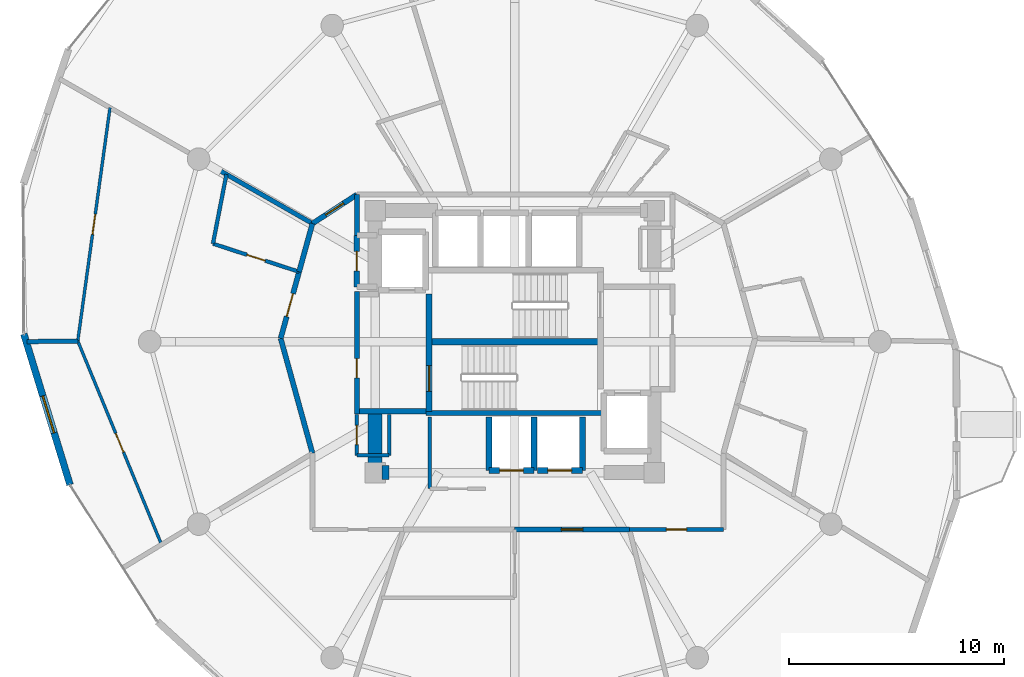
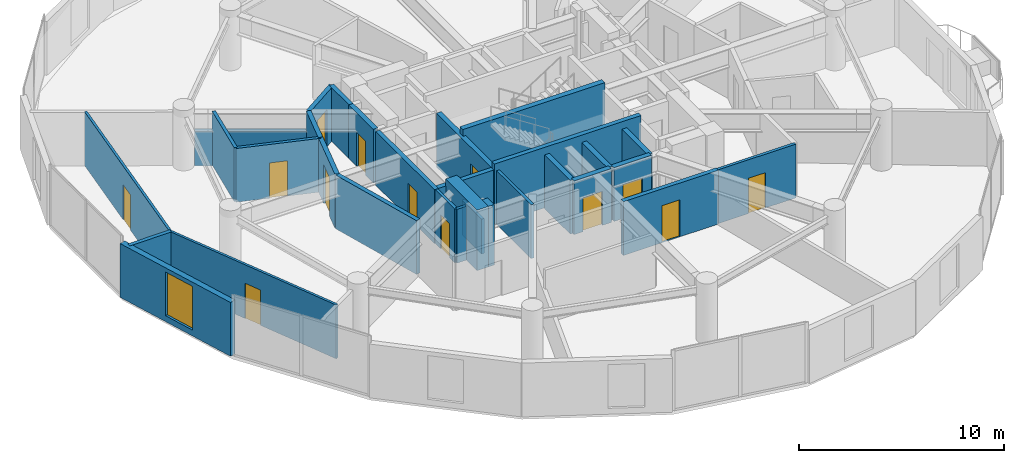
# One storey, part 17 of 22: 31 walls, 13 doors, 1 window, 14 openings.
"""IFC4 building model written with IfcOpenShell, lengths in metres."""

from ifc_helpers import new_model, si_unit, direction, frame, frame_2d, origin, place, context, subcontext, project, spatial, rectangle, extrude, material, layer, layer_set, type_object, element, fill, save


model = new_model("IFC4")

# Units and contexts
model_context = context("Model", 3, precision=1e-05, world=origin(), true_north=direction((0.0, 1.0)))
body_context = subcontext(model_context, "Body", "Model", "MODEL_VIEW")
ifc_project = project(units=[si_unit("LENGTHUNIT", "METRE"), si_unit("AREAUNIT", "SQUARE_METRE"), si_unit("VOLUMEUNIT", "CUBIC_METRE"), si_unit("PLANEANGLEUNIT", "RADIAN"), si_unit("MASSUNIT", "GRAM", prefix="KILO")], contexts=[model_context])

# Site, building, storey
site_placement = place(None, origin())
site = spatial("IfcSite", under=ifc_project, at=site_placement, CompositionType="ELEMENT")
building_placement = place(site_placement, origin())
building = spatial("IfcBuilding", under=site, at=building_placement, Name="Solvirekh Grand Hotel", CompositionType="ELEMENT")
storey_placement = place(building_placement, frame((0.0, 0.0, 160.199951171875)))
storey = spatial("IfcBuildingStorey", under=building, at=storey_placement, Name="L41", CompositionType="ELEMENT", Elevation=160.199951171875)

# Wall
ifc_material_1 = material(Name="Concrete C50/60", Category="concrete")
ifc_layer_1 = layer(ifc_material_1, 0.35009765625)
ifc_layer_set_1 = layer_set([ifc_layer_1], Name="Concrete C50/60")
wall_type_1 = type_object("IfcWallType", Name="CoreDivWall_RC350", PredefinedType="SOLIDWALL", material=ifc_layer_set_1)
wall_1_placement = place(storey_placement, frame((-4.1298828125, -3.324951171875, 0.0), z_axis=(0.0, 0.0, 1.0), x_axis=(1.0, 0.0, 0.0)))
element("IfcWall", 1, at=wall_1_placement, inside=storey, type_object=wall_type_1, Name="L41 core stair box wall ST-S", PredefinedType="SOLIDWALL", context=body_context, shape_type="SweptSolid", body=[
    extrude(rectangle(XDim=8.259765625, YDim=0.25, at=frame_2d((4.1298828125, 0.0))), origin(), (0.0, 0.0, 1.0), 3.60009765625),
])

# Wall, opening, door
ifc_material_2 = material(Name="Concrete C40/50", Category="concrete")
ifc_layer_2 = layer(ifc_material_2, 0.280029296875)
ifc_layer_set_2 = layer_set([ifc_layer_2], Name="Concrete C40/50")
wall_type_2 = type_object("IfcWallType", Name="CoreShaftWall_RC280", PredefinedType="SOLIDWALL", material=ifc_layer_set_2)
wall_2_placement = place(storey_placement, frame((-1.199951171875, -6.0, 0.0), z_axis=(0.0, 0.0, 1.0), x_axis=(1.0, 0.0, 0.0)))
wall_2 = element("IfcWall", 2, at=wall_2_placement, inside=storey, type_object=wall_type_2, Name="L41 MP-1 hoistway S wall", PredefinedType="SOLIDWALL", context=body_context, shape_type="SweptSolid", body=[
    extrude(rectangle(XDim=2.099853515625, YDim=0.280029296875, at=frame_2d((1.0498046875, 0.0))), origin(), (0.0, 0.0, 1.0), 3.199951171875),
])
opening_1_placement = place(wall_2_placement, frame((0.5, 0.0, 0.0)))
opening_1 = element("IfcOpeningElement", 3, at=opening_1_placement, cuts=wall_2, Name="Opening LD03", PredefinedType="OPENING", context=body_context, shape_type="SweptSolid", body=[
    extrude(rectangle(XDim=1.10009765625, YDim=2.02001953125, at=frame_2d((0.550048828125, 1.010009765625))), frame((0.0, 0.14990234375, 0.0), z_axis=(0.0, -1.0, 0.0), x_axis=(1.0, 0.0, 0.0)), (0.0, 0.0, 1.0), 0.300048828125),
])
ifc_material_3 = material(Name="Fire-Rated Steel Door Assembly", Category="steel")
door_type_1 = type_object("IfcDoorType", Name="Door_LiftLow_1100X2020", OperationType="SLIDING_TO_LEFT", PredefinedType="DOOR", material=ifc_material_3)
door_1_placement = place(opening_1_placement, origin())
door_1 = element("IfcDoor", 4, at=door_1_placement, inside=storey, type_object=door_type_1, Name="L41 MP-1 sliding lift landing door", OperationType="SLIDING_TO_LEFT", OverallHeight=2.02001953125, OverallWidth=1.10009765625, PredefinedType="DOOR", context=body_context, shape_type="SweptSolid", body=[
    extrude(rectangle(XDim=1.10009765625, YDim=2.02001953125, at=frame_2d((0.550048828125, 1.010009765625))), frame((0.0, 0.02490234375, 0.0), z_axis=(0.0, -1.0, 0.0), x_axis=(1.0, 0.0, 0.0)), (0.0, 0.0, 1.0), 0.050048828125),
])
fill(opening_1, door_1)

# Walls
for number, where, z_axis, x_axis, name in (
    (5, (-1.199951171875, -3.5, 0.0), (0.0, 0.0, 1.0), (0.0, -1.0, 0.0), "L41 MP-1 hoistway W wall"),
    (6, (0.89990234375, -6.0, 0.0), (0.0, 0.0, 1.0), (0.0, 1.0, 0.0), "L41 MP-1 hoistway E wall"),
):
    element("IfcWall", number, at=place(storey_placement, frame(where, z_axis=z_axis, x_axis=x_axis)), inside=storey, type_object=wall_type_2, Name=name, PredefinedType="SOLIDWALL", context=body_context, shape_type="SweptSolid", body=[
        extrude(rectangle(XDim=2.5, YDim=0.280029296875, at=frame_2d((1.25, 0.0))), origin(), (0.0, 0.0, 1.0), 3.199951171875),
    ])

# Wall, opening, door
wall_3_placement = place(storey_placement, frame((1.050048828125, -6.0, 0.0), z_axis=(0.0, 0.0, 1.0), x_axis=(1.0, 0.0, 0.0)))
wall_3 = element("IfcWall", 7, at=wall_3_placement, inside=storey, type_object=wall_type_2, Name="L41 MP-2 hoistway S wall", PredefinedType="SOLIDWALL", context=body_context, shape_type="SweptSolid", body=[
    extrude(rectangle(XDim=2.099853515625, YDim=0.280029296875, at=frame_2d((1.0498046875, 0.0))), origin(), (0.0, 0.0, 1.0), 3.199951171875),
])
opening_2_placement = place(wall_3_placement, frame((0.5, 0.0, 0.0)))
opening_2 = element("IfcOpeningElement", 8, at=opening_2_placement, cuts=wall_3, Name="Opening LD03", PredefinedType="OPENING", context=body_context, shape_type="SweptSolid", body=[
    extrude(rectangle(XDim=1.10009765625, YDim=2.02001953125, at=frame_2d((0.550048828125, 1.010009765625))), frame((0.0, 0.14990234375, 0.0), z_axis=(0.0, -1.0, 0.0), x_axis=(1.0, 0.0, 0.0)), (0.0, 0.0, 1.0), 0.300048828125),
])
door_2_placement = place(opening_2_placement, origin())
door_2 = element("IfcDoor", 9, at=door_2_placement, inside=storey, type_object=door_type_1, Name="L41 MP-2 sliding lift landing door", OperationType="SLIDING_TO_LEFT", OverallHeight=2.02001953125, OverallWidth=1.10009765625, PredefinedType="DOOR", context=body_context, shape_type="SweptSolid", body=[
    extrude(rectangle(XDim=1.10009765625, YDim=2.02001953125, at=frame_2d((0.550048828125, 1.010009765625))), frame((0.0, 0.02490234375, 0.0), z_axis=(0.0, -1.0, 0.0), x_axis=(1.0, 0.0, 0.0)), (0.0, 0.0, 1.0), 0.050048828125),
])
fill(opening_2, door_2)

# Wall
wall_4_placement = place(storey_placement, frame((3.14990234375, -6.0, 0.0), z_axis=(0.0, 0.0, 1.0), x_axis=(0.0, 1.0, 0.0)))
element("IfcWall", 10, at=wall_4_placement, inside=storey, type_object=wall_type_2, Name="L41 MP-2 hoistway E wall", PredefinedType="SOLIDWALL", context=body_context, shape_type="SweptSolid", body=[
    extrude(rectangle(XDim=2.5, YDim=0.280029296875, at=frame_2d((1.25, 0.0))), origin(), (0.0, 0.0, 1.0), 3.199951171875),
])

# Wall, opening, door
wall_5_placement = place(storey_placement, frame((-3.989990234375, -3.25, 0.0), z_axis=(0.0, 0.0, 1.0), x_axis=(0.0, 1.0, 0.0)))
wall_5 = element("IfcWall", 11, at=wall_5_placement, inside=storey, type_object=wall_type_2, Name="L41 west stair landing enclosure wall", PredefinedType="SOLIDWALL", context=body_context, shape_type="SweptSolid", body=[
    extrude(rectangle(XDim=5.4599609375, YDim=0.280029296875, at=frame_2d((2.72998046875, 0.0))), origin(), (0.0, 0.0, 1.0), 3.199951171875),
])
opening_3_placement = place(wall_5_placement, frame((0.93701171875, 0.0, 0.0)))
opening_3 = element("IfcOpeningElement", 12, at=opening_3_placement, cuts=wall_5, Name="Opening D05", PredefinedType="OPENING", context=body_context, shape_type="SweptSolid", body=[
    extrude(rectangle(XDim=1.199951171875, YDim=2.199951171875, at=frame_2d((0.60009765625, 1.10009765625))), frame((0.0, 0.14990234375, 0.0), z_axis=(0.0, -1.0, 0.0), x_axis=(1.0, 0.0, 0.0)), (0.0, 0.0, 1.0), 0.300048828125),
])
door_type_2 = type_object("IfcDoorType", Name="Door_StairCore_1200X2200", OperationType="NOTDEFINED", PredefinedType="DOOR", material=ifc_material_3)
door_3_placement = place(opening_3_placement, origin())
door_3 = element("IfcDoor", 13, at=door_3_placement, inside=storey, type_object=door_type_2, Name="L41 exit stair ST-1 fire door", OperationType="SINGLE_SWING_LEFT", OverallHeight=2.199951171875, OverallWidth=1.199951171875, PredefinedType="DOOR", context=body_context, shape_type="SweptSolid", body=[
    extrude(rectangle(XDim=1.199951171875, YDim=2.199951171875, at=frame_2d((0.60009765625, 1.10009765625))), frame((0.0, 0.02490234375, 0.0), z_axis=(0.0, -1.0, 0.0), x_axis=(1.0, 0.0, 0.0)), (0.0, 0.0, 1.0), 0.050048828125),
])
fill(opening_3, door_3)

# Walls
ifc_layer_3 = layer(ifc_material_1, 0.64990234375)
ifc_layer_set_3 = layer_set([ifc_layer_3], Name="Concrete C50/60")
wall_type_3 = type_object("IfcWallType", Name="CoreWall_RC650", PredefinedType="SHEAR", material=ifc_layer_set_3)
wall_6_placement = place(storey_placement, frame((-3.989990234375, 0.0, 0.0), z_axis=(0.0, 0.0, 1.0), x_axis=(1.0, 0.0, 0.0)))
element("IfcWall", 14, at=wall_6_placement, inside=storey, type_object=wall_type_3, Name="L41 central stair-spine shear wall", PredefinedType="SHEAR", context=body_context, shape_type="SweptSolid", body=[
    extrude(rectangle(XDim=7.97998046875, YDim=0.300048828125, at=frame_2d((3.989990234375, 0.0))), origin(), (0.0, 0.0, 1.0), 3.60009765625),
])
wall_7_placement = place(storey_placement, frame((-6.175048828125, -6.10009765625, 0.0), z_axis=(0.0, 0.0, 1.0), x_axis=(1.0, 0.0, 0.0)))
element("IfcWall", 15, at=wall_7_placement, inside=storey, type_object=wall_type_3, Name="L41 core corner shear wall SW-S", PredefinedType="SHEAR", context=body_context, shape_type="SweptSolid", body=[
    extrude(rectangle(XDim=0.324951171875, YDim=0.64990234375, at=frame_2d((0.16259765625, 0.0))), origin(), (0.0, 0.0, 1.0), 3.60009765625),
])
wall_8_placement = place(storey_placement, frame((-6.5, -6.425048828125, 0.0), z_axis=(0.0, 0.0, 1.0), x_axis=(0.0, 1.0, 0.0)))
element("IfcWall", 16, at=wall_8_placement, inside=storey, type_object=wall_type_3, Name="L41 core corner shear wall WS-W", PredefinedType="SHEAR", context=body_context, shape_type="SweptSolid", body=[
    extrude(rectangle(XDim=3.074951171875, YDim=0.64990234375, at=frame_2d((1.53759765625, 0.0))), origin(), (0.0, 0.0, 1.0), 3.60009765625),
])

# Wall, opening, window
ifc_material_4 = material(Name="Precast concrete C45/55", Category="concrete")
ifc_layer_4 = layer(ifc_material_4, 0.320068359375)
ifc_layer_set_4 = layer_set([ifc_layer_4], Name="Precast concrete C45/55")
wall_type_4 = type_object("IfcWallType", Name="ExtLobbyWall_RC320", PredefinedType="SOLIDWALL", material=ifc_layer_set_4)
wall_9_placement = place(storey_placement, frame((-20.7109375, -6.666015625, 0.0), z_axis=(0.0, 0.0, 1.0), x_axis=(-0.292831477481, 0.956164068451, 0.0)))
wall_9 = element("IfcWall", 17, at=wall_9_placement, inside=storey, type_object=wall_type_4, Name="L41 exterior structural wall chord 14", PredefinedType="SOLIDWALL", context=body_context, shape_type="SweptSolid", body=[
    extrude(rectangle(XDim=7.345947265625, YDim=0.320068359375, at=frame_2d((3.6728515625, 0.0))), origin(), (0.0, 0.0, 1.0), 3.199951171875),
])
opening_4_placement = place(wall_9_placement, frame((2.530029296875, 0.0, 0.35009765625)))
opening_4 = element("IfcOpeningElement", 18, at=opening_4_placement, cuts=wall_9, Name="Opening W02", PredefinedType="OPENING", context=body_context, shape_type="SweptSolid", body=[
    extrude(rectangle(XDim=1.800048828125, YDim=2.60009765625, at=frame_2d((0.89990234375, 1.300048828125))), frame((0.0, 0.169921875, 0.0), z_axis=(0.0, -1.0, 0.0), x_axis=(1.0, 0.0, 0.0)), (0.0, 0.0, 1.0), 0.340087890625),
])
ifc_material_5 = material(Name="Low-E Tinted Bronze Laminated Glass", Category="aluminium")
window_type = type_object("IfcWindowType", Name="Win_LobbyExt_1800X2600", PartitioningType="SINGLE_PANEL", PredefinedType="WINDOW", material=ifc_material_5)
window_placement = place(opening_4_placement, origin())
window = element("IfcWindow", 19, at=window_placement, inside=storey, type_object=window_type, Name="L41 panoramic bronze-framed window 14", OverallHeight=2.60009765625, OverallWidth=1.800048828125, PartitioningType="SINGLE_PANEL", PredefinedType="WINDOW", context=body_context, shape_type="SweptSolid", body=[
    extrude(rectangle(XDim=1.800048828125, YDim=2.60009765625, at=frame_2d((0.89990234375, 1.300048828125))), frame((0.0, 0.030029296875, 0.0), z_axis=(0.0, -1.0, 0.0), x_axis=(1.0, 0.0, 0.0)), (0.0, 0.0, 1.0), 0.06005859375),
])
fill(opening_4, window)

# Walls
ifc_material_6 = material(Name="Acoustic Gypsum Partition Assembly")
ifc_layer_5 = layer(ifc_material_6, 0.1650390625)
ifc_layer_set_5 = layer_set([ifc_layer_5], Name="Acoustic Gypsum Partition Assembly")
wall_type_5 = type_object("IfcWallType", Name="Part_BOH_165", PredefinedType="PARTITIONING", material=ifc_layer_set_5)
wall_10_placement = place(storey_placement, frame((-7.35009765625, -5.300048828125, 0.0), z_axis=(0.0, 0.0, 1.0), x_axis=(1.0, 0.0, 0.0)))
element("IfcWall", 20, at=wall_10_placement, inside=storey, type_object=wall_type_5, Name="L41 L41 Butler Service Closet wall 1", PredefinedType="PARTITIONING", context=body_context, shape_type="SweptSolid", body=[
    extrude(rectangle(XDim=1.5, YDim=0.1650390625, at=frame_2d((0.75, 0.0))), origin(), (0.0, 0.0, 1.0), 3.199951171875),
])
wall_11_placement = place(storey_placement, frame((-5.85009765625, -5.300048828125, 0.0), z_axis=(0.0, 0.0, 1.0), x_axis=(0.0, 1.0, 0.0)))
element("IfcWall", 21, at=wall_11_placement, inside=storey, type_object=wall_type_5, Name="L41 L41 Butler Service Closet wall 2", PredefinedType="PARTITIONING", context=body_context, shape_type="SweptSolid", body=[
    extrude(rectangle(XDim=1.900146484375, YDim=0.1650390625, at=frame_2d((0.9501953125, 0.0))), origin(), (0.0, 0.0, 1.0), 2.067138671875),
])

# Wall, opening, door
wall_12_placement = place(storey_placement, frame((-7.35009765625, -3.39990234375, 0.0), z_axis=(0.0, 0.0, 1.0), x_axis=(0.0, -1.0, 0.0)))
wall_12 = element("IfcWall", 22, at=wall_12_placement, inside=storey, type_object=wall_type_5, Name="L41 L41 Butler Service Closet wall 4", PredefinedType="PARTITIONING", context=body_context, shape_type="SweptSolid", body=[
    extrude(rectangle(XDim=1.900146484375, YDim=0.1650390625, at=frame_2d((0.9501953125, 0.0))), origin(), (0.0, 0.0, 1.0), 3.199951171875),
])
opening_5_placement = place(wall_12_placement, frame((0.5, 0.0, 0.0)))
opening_5 = element("IfcOpeningElement", 23, at=opening_5_placement, cuts=wall_12, Name="Opening D14", PredefinedType="OPENING", context=body_context, shape_type="SweptSolid", body=[
    extrude(rectangle(XDim=0.89990234375, YDim=2.02001953125, at=frame_2d((0.449951171875, 1.010009765625))), frame((0.0, 0.092529296875, 0.0), z_axis=(0.0, -1.0, 0.0), x_axis=(1.0, 0.0, 0.0)), (0.0, 0.0, 1.0), 0.18505859375),
])
door_type_3 = type_object("IfcDoorType", Name="Door_LowHeadroom_900X2020", OperationType="NOTDEFINED", PredefinedType="DOOR", material=ifc_material_3)
door_4_placement = place(opening_5_placement, origin())
door_4 = element("IfcDoor", 24, at=door_4_placement, inside=storey, type_object=door_type_3, Name="L41 L41 Butler Service Closet door", OperationType="SINGLE_SWING_RIGHT", OverallHeight=2.02001953125, OverallWidth=0.89990234375, PredefinedType="DOOR", context=body_context, shape_type="SweptSolid", body=[
    extrude(rectangle(XDim=0.89990234375, YDim=2.02001953125, at=frame_2d((0.449951171875, 1.010009765625))), frame((0.0, 0.02490234375, 0.0), z_axis=(0.0, -1.0, 0.0), x_axis=(1.0, 0.0, 0.0)), (0.0, 0.0, 1.0), 0.050048828125),
])
fill(opening_5, door_4)

# Wall
wall_13_placement = place(storey_placement, frame((-3.949951171875, -3.5, 0.0), z_axis=(0.0, 0.0, 1.0), x_axis=(0.0, -1.0, 0.0)))
element("IfcWall", 25, at=wall_13_placement, inside=storey, type_object=wall_type_5, Name="L41 Mid-Zone Housekeeping Room wall 4", PredefinedType="PARTITIONING", context=body_context, shape_type="SweptSolid", body=[
    extrude(rectangle(XDim=3.35009765625, YDim=0.1650390625, at=frame_2d((1.675048828125, 0.0))), origin(), (0.0, 0.0, 1.0), 3.199951171875),
])

# Wall, opening, door
wall_14_placement = place(storey_placement, frame((5.345947265625, -8.75, 0.0), z_axis=(0.0, 0.0, 1.0), x_axis=(1.0, 0.0, 0.0)))
wall_14 = element("IfcWall", 26, at=wall_14_placement, inside=storey, type_object=wall_type_5, Name="L41 L41 Butler Valet & Linen Steward Room entrance wall", PredefinedType="PARTITIONING", context=body_context, shape_type="SweptSolid", body=[
    extrude(rectangle(XDim=4.3740234375, YDim=0.1650390625, at=frame_2d((2.18701171875, 0.0))), origin(), (0.0, 0.0, 1.0), 3.199951171875),
])
opening_6_placement = place(wall_14_placement, frame((1.7119140625, 0.0, 0.0)))
opening_6 = element("IfcOpeningElement", 27, at=opening_6_placement, cuts=wall_14, Name="Opening D10", PredefinedType="OPENING", context=body_context, shape_type="SweptSolid", body=[
    extrude(rectangle(XDim=0.949951171875, YDim=2.10009765625, at=frame_2d((0.47509765625, 1.050048828125))), frame((0.0, 0.092529296875, 0.0), z_axis=(0.0, -1.0, 0.0), x_axis=(1.0, 0.0, 0.0)), (0.0, 0.0, 1.0), 0.18505859375),
])
ifc_material_7 = material(Name="Anodized Bronze Aluminium 6063-T6", Category="aluminium")
door_type_4 = type_object("IfcDoorType", Name="Door_RoomInt_950X2100", OperationType="NOTDEFINED", PredefinedType="DOOR", material=ifc_material_7)
door_5_placement = place(opening_6_placement, origin())
door_5 = element("IfcDoor", 28, at=door_5_placement, inside=storey, type_object=door_type_4, Name="L41 L41 Butler Valet & Linen Steward Room entrance door", OperationType="SINGLE_SWING_LEFT", OverallHeight=2.10009765625, OverallWidth=0.949951171875, PredefinedType="DOOR", context=body_context, shape_type="SweptSolid", body=[
    extrude(rectangle(XDim=0.949951171875, YDim=2.10009765625, at=frame_2d((0.47509765625, 1.050048828125))), frame((0.0, 0.02490234375, 0.0), z_axis=(0.0, -1.0, 0.0), x_axis=(1.0, 0.0, 0.0)), (0.0, 0.0, 1.0), 0.050048828125),
])
fill(opening_6, door_5)

ifc_layer_6 = layer(ifc_material_6, 0.239990234375)
ifc_layer_set_6 = layer_set([ifc_layer_6], Name="Acoustic Gypsum Partition Assembly")
wall_type_6 = type_object("IfcWallType", Name="Part_Corridor_240", PredefinedType="PARTITIONING", material=ifc_layer_set_6)
wall_15_placement = place(storey_placement, frame((-7.35009765625, -3.3798828125, 0.0), z_axis=(0.0, 0.0, 1.0), x_axis=(0.0, 1.0, 0.0)))
wall_15 = element("IfcWall", 29, at=wall_15_placement, inside=storey, type_object=wall_type_6, Name="L41 west firefighting lobby smoke screen wall", PredefinedType="PARTITIONING", context=body_context, shape_type="SweptSolid", body=[
    extrude(rectangle(XDim=5.719970703125, YDim=0.239990234375, at=frame_2d((2.85986328125, 0.0))), origin(), (0.0, 0.0, 1.0), 3.199951171875),
])
opening_7_placement = place(wall_15_placement, frame((1.68701171875, 0.0, 0.0)))
opening_7 = element("IfcOpeningElement", 30, at=opening_7_placement, cuts=wall_15, Name="Opening D14", PredefinedType="OPENING", context=body_context, shape_type="SweptSolid", body=[
    extrude(rectangle(XDim=0.89990234375, YDim=2.02001953125, at=frame_2d((0.449951171875, 1.010009765625))), frame((0.0, 0.1298828125, 0.0), z_axis=(0.0, -1.0, 0.0), x_axis=(1.0, 0.0, 0.0)), (0.0, 0.0, 1.0), 0.260009765625),
])
door_6_placement = place(opening_7_placement, origin())
door_6 = element("IfcDoor", 31, at=door_6_placement, inside=storey, type_object=door_type_3, Name="L41 west firefighting lobby smoke door", OperationType="SINGLE_SWING_LEFT", OverallHeight=2.02001953125, OverallWidth=0.89990234375, PredefinedType="DOOR", context=body_context, shape_type="SweptSolid", body=[
    extrude(rectangle(XDim=0.89990234375, YDim=2.02001953125, at=frame_2d((0.449951171875, 1.010009765625))), frame((0.0, 0.02490234375, 0.0), z_axis=(0.0, -1.0, 0.0), x_axis=(1.0, 0.0, 0.0)), (0.0, 0.0, 1.0), 0.050048828125),
])
fill(opening_7, door_6)

# Wall
wall_16_placement = place(storey_placement, frame((-7.35009765625, 4.949951171875, 0.0), z_axis=(0.0, 0.0, 1.0), x_axis=(0.0, 1.0, 0.0)))
element("IfcWall", 32, at=wall_16_placement, inside=storey, type_object=wall_type_6, Name="L41 NW core cheek closure wall", PredefinedType="PARTITIONING", context=body_context, shape_type="SweptSolid", body=[
    extrude(rectangle(XDim=1.900146484375, YDim=0.239990234375, at=frame_2d((0.9501953125, 0.0))), origin(), (0.0, 0.0, 1.0), 3.199951171875),
])

# Wall, opening, door
wall_17_placement = place(storey_placement, frame((-9.419921875, 5.5, 0.0), z_axis=(0.0, 0.0, 1.0), x_axis=(0.837571286912, 0.546328051029, 0.0)))
wall_17 = element("IfcWall", 33, at=wall_17_placement, inside=storey, type_object=wall_type_6, Name="L41 Deluxe Guestroom 4302 entrance wall", PredefinedType="PARTITIONING", context=body_context, shape_type="SweptSolid", body=[
    extrude(rectangle(XDim=2.47119140625, YDim=0.239990234375, at=frame_2d((1.235595703125, 0.0))), origin(), (0.0, 0.0, 1.0), 3.199951171875),
])
opening_8_placement = place(wall_17_placement, frame((0.736083984375, 0.0, 0.0)))
opening_8 = element("IfcOpeningElement", 34, at=opening_8_placement, cuts=wall_17, Name="Opening D07", PredefinedType="OPENING", context=body_context, shape_type="SweptSolid", body=[
    extrude(rectangle(XDim=1.0, YDim=2.199951171875, at=frame_2d((0.5, 1.10009765625))), frame((0.0, 0.1298828125, 0.0), z_axis=(0.0, -1.0, 0.0), x_axis=(1.0, 0.0, 0.0)), (0.0, 0.0, 1.0), 0.260009765625),
])
door_type_5 = type_object("IfcDoorType", Name="Door_GuestEntry_1000X2200", OperationType="NOTDEFINED", PredefinedType="DOOR", material=ifc_material_3)
door_7_placement = place(opening_8_placement, origin())
door_7 = element("IfcDoor", 35, at=door_7_placement, inside=storey, type_object=door_type_5, Name="L41 Deluxe Guestroom 4302 entrance door", OperationType="SINGLE_SWING_LEFT", OverallHeight=2.199951171875, OverallWidth=1.0, PredefinedType="DOOR", context=body_context, shape_type="SweptSolid", body=[
    extrude(rectangle(XDim=1.0, YDim=2.199951171875, at=frame_2d((0.5, 1.10009765625))), frame((0.0, 0.02490234375, 0.0), z_axis=(0.0, -1.0, 0.0), x_axis=(1.0, 0.0, 0.0)), (0.0, 0.0, 1.0), 0.050048828125),
])
fill(opening_8, door_7)

# Walls
wall_18_placement = place(storey_placement, frame((-9.419921875, 5.5, 0.0), z_axis=(0.0, 0.0, 1.0), x_axis=(-0.266801280383, -0.963751563831, 0.0)))
element("IfcWall", 36, at=wall_18_placement, inside=storey, type_object=wall_type_6, Name="L41 En-suite Bathroom 4303 corridor backing wall", PredefinedType="PARTITIONING", context=body_context, shape_type="SweptSolid", body=[
    extrude(rectangle(XDim=2.33154296875, YDim=0.239990234375, at=frame_2d((1.165771484375, 0.0))), origin(), (0.0, 0.0, 1.0), 3.199951171875),
])
wall_19_placement = place(storey_placement, frame((-10.89990234375, 0.14990234375, 0.0), z_axis=(0.0, 0.0, 1.0), x_axis=(0.266625172958, -0.963800299411, 0.0)))
element("IfcWall", 37, at=wall_19_placement, inside=storey, type_object=wall_type_6, Name="L41 Executive Suite 4303 Living Room corridor wall 1", PredefinedType="PARTITIONING", context=body_context, shape_type="SweptSolid", body=[
    extrude(rectangle(XDim=5.55078125, YDim=0.239990234375, at=frame_2d((2.775390625, 0.0))), origin(), (0.0, 0.0, 1.0), 3.199951171875),
])

# Wall, opening, door
wall_20_placement = place(storey_placement, frame((-10.0419921875, 3.2529296875, 0.0), z_axis=(0.0, 0.0, 1.0), x_axis=(-0.266478138733, -0.963840962803, 0.0)))
wall_20 = element("IfcWall", 38, at=wall_20_placement, inside=storey, type_object=wall_type_6, Name="L41 Executive Suite 4303 Living Room entrance wall", PredefinedType="PARTITIONING", context=body_context, shape_type="SweptSolid", body=[
    extrude(rectangle(XDim=3.219482421875, YDim=0.239990234375, at=frame_2d((1.60986328125, 0.0))), origin(), (0.0, 0.0, 1.0), 3.199951171875),
])
opening_9_placement = place(wall_20_placement, frame((1.06005859375, 0.0, 0.0)))
opening_9 = element("IfcOpeningElement", 39, at=opening_9_placement, cuts=wall_20, Name="Opening D08", PredefinedType="OPENING", context=body_context, shape_type="SweptSolid", body=[
    extrude(rectangle(XDim=1.10009765625, YDim=2.300048828125, at=frame_2d((0.550048828125, 1.14990234375))), frame((0.0, 0.1298828125, 0.0), z_axis=(0.0, -1.0, 0.0), x_axis=(1.0, 0.0, 0.0)), (0.0, 0.0, 1.0), 0.260009765625),
])
door_type_6 = type_object("IfcDoorType", Name="Door_SuiteEntry_1100X2300", OperationType="NOTDEFINED", PredefinedType="DOOR", material=ifc_material_3)
door_8_placement = place(opening_9_placement, origin())
door_8 = element("IfcDoor", 40, at=door_8_placement, inside=storey, type_object=door_type_6, Name="L41 Executive Suite 4303 Living Room entrance door", OperationType="SINGLE_SWING_LEFT", OverallHeight=2.300048828125, OverallWidth=1.10009765625, PredefinedType="DOOR", context=body_context, shape_type="SweptSolid", body=[
    extrude(rectangle(XDim=1.10009765625, YDim=2.300048828125, at=frame_2d((0.550048828125, 1.14990234375))), frame((0.0, 0.02490234375, 0.0), z_axis=(0.0, -1.0, 0.0), x_axis=(1.0, 0.0, 0.0)), (0.0, 0.0, 1.0), 0.050048828125),
])
fill(opening_9, door_8)

wall_21_placement = place(storey_placement, frame((0.0, -8.75, 0.0), z_axis=(0.0, 0.0, 1.0), x_axis=(1.0, 0.0, 0.0)))
wall_21 = element("IfcWall", 41, at=wall_21_placement, inside=storey, type_object=wall_type_6, Name="L41 Deluxe Guestroom 4306 entrance wall", PredefinedType="PARTITIONING", context=body_context, shape_type="SweptSolid", body=[
    extrude(rectangle(XDim=5.345947265625, YDim=0.239990234375, at=frame_2d((2.6728515625, 0.0))), origin(), (0.0, 0.0, 1.0), 3.199951171875),
])
opening_10_placement = place(wall_21_placement, frame((2.173095703125, 0.0, 0.0)))
opening_10 = element("IfcOpeningElement", 42, at=opening_10_placement, cuts=wall_21, Name="Opening D07", PredefinedType="OPENING", context=body_context, shape_type="SweptSolid", body=[
    extrude(rectangle(XDim=1.0, YDim=2.199951171875, at=frame_2d((0.5, 1.10009765625))), frame((0.0, 0.1298828125, 0.0), z_axis=(0.0, -1.0, 0.0), x_axis=(1.0, 0.0, 0.0)), (0.0, 0.0, 1.0), 0.260009765625),
])
door_9_placement = place(opening_10_placement, origin())
door_9 = element("IfcDoor", 43, at=door_9_placement, inside=storey, type_object=door_type_5, Name="L41 Deluxe Guestroom 4306 entrance door", OperationType="SINGLE_SWING_RIGHT", OverallHeight=2.199951171875, OverallWidth=1.0, PredefinedType="DOOR", context=body_context, shape_type="SweptSolid", body=[
    extrude(rectangle(XDim=1.0, YDim=2.199951171875, at=frame_2d((0.5, 1.10009765625))), frame((0.0, 0.02490234375, 0.0), z_axis=(0.0, -1.0, 0.0), x_axis=(1.0, 0.0, 0.0)), (0.0, 0.0, 1.0), 0.050048828125),
])
fill(opening_10, door_9)

# Wall
ifc_layer_7 = layer(ifc_material_6, 0.260009765625)
ifc_layer_set_7 = layer_set([ifc_layer_7], Name="Acoustic Gypsum Partition Assembly")
wall_type_7 = type_object("IfcWallType", Name="Part_LobbyFF_260", PredefinedType="PARTITIONING", material=ifc_layer_set_7)
wall_22_placement = place(storey_placement, frame((-7.22509765625, -3.25, 0.0), z_axis=(0.0, 0.0, 1.0), x_axis=(1.0, 0.0, 0.0)))
element("IfcWall", 44, at=wall_22_placement, inside=storey, type_object=wall_type_7, Name="L41 west firefighting lobby south partition", PredefinedType="PARTITIONING", context=body_context, shape_type="SweptSolid", body=[
    extrude(rectangle(XDim=3.09521484375, YDim=0.260009765625, at=frame_2d((1.547607421875, 0.0))), origin(), (0.0, 0.0, 1.0), 3.199951171875),
])

# Wall, opening, door
wall_23_placement = place(storey_placement, frame((-7.35009765625, 2.550048828125, 0.0), z_axis=(0.0, 0.0, 1.0), x_axis=(0.0, 1.0, 0.0)))
wall_23 = element("IfcWall", 45, at=wall_23_placement, inside=storey, type_object=wall_type_7, Name="L41 NW telecom metering cupboard access wall", PredefinedType="PARTITIONING", context=body_context, shape_type="SweptSolid", body=[
    extrude(rectangle(XDim=2.39990234375, YDim=0.260009765625, at=frame_2d((1.199951171875, 0.0))), origin(), (0.0, 0.0, 1.0), 3.199951171875),
])
opening_11_placement = place(wall_23_placement, frame((0.75, 0.0, 0.0)))
opening_11 = element("IfcOpeningElement", 46, at=opening_11_placement, cuts=wall_23, Name="Opening D14", PredefinedType="OPENING", context=body_context, shape_type="SweptSolid", body=[
    extrude(rectangle(XDim=0.89990234375, YDim=2.02001953125, at=frame_2d((0.449951171875, 1.010009765625))), frame((0.0, 0.14013671875, 0.0), z_axis=(0.0, -1.0, 0.0), x_axis=(1.0, 0.0, 0.0)), (0.0, 0.0, 1.0), 0.280029296875),
])
door_10_placement = place(opening_11_placement, origin())
door_10 = element("IfcDoor", 47, at=door_10_placement, inside=storey, type_object=door_type_3, Name="L41 telecom metering cupboard access door", OperationType="SINGLE_SWING_LEFT", OverallHeight=2.02001953125, OverallWidth=0.89990234375, PredefinedType="DOOR", context=body_context, shape_type="SweptSolid", body=[
    extrude(rectangle(XDim=0.89990234375, YDim=2.02001953125, at=frame_2d((0.449951171875, 1.010009765625))), frame((0.0, 0.02490234375, 0.0), z_axis=(0.0, -1.0, 0.0), x_axis=(1.0, 0.0, 0.0)), (0.0, 0.0, 1.0), 0.050048828125),
])
fill(opening_11, door_10)

ifc_layer_8 = layer(ifc_material_6, 0.135009765625)
ifc_layer_set_8 = layer_set([ifc_layer_8], Name="Acoustic Gypsum Partition Assembly")
wall_type_8 = type_object("IfcWallType", Name="Part_RoomInt_135", PredefinedType="PARTITIONING", material=ifc_layer_set_8)
wall_24_placement = place(storey_placement, frame((-18.84912109375, 10.89501953125, 0.0), z_axis=(0.0, 0.0, 1.0), x_axis=(-0.136848296062, -0.990592016859, 0.0)))
wall_24 = element("IfcWall", 48, at=wall_24_placement, inside=storey, type_object=wall_type_8, Name="L41 Executive Suite 4303 Living Room bedroom screen wall", PredefinedType="PARTITIONING", context=body_context, shape_type="SweptSolid", body=[
    extrude(rectangle(XDim=10.96826171875, YDim=0.135009765625, at=frame_2d((5.484130859375, 0.0))), origin(), (0.0, 0.0, 1.0), 3.199951171875),
])
opening_12_placement = place(wall_24_placement, frame((5.009033203125, 0.0, 0.0)))
opening_12 = element("IfcOpeningElement", 49, at=opening_12_placement, cuts=wall_24, Name="Opening D10", PredefinedType="OPENING", context=body_context, shape_type="SweptSolid", body=[
    extrude(rectangle(XDim=0.949951171875, YDim=2.10009765625, at=frame_2d((0.47509765625, 1.050048828125))), frame((0.0, 0.07763671875, 0.0), z_axis=(0.0, -1.0, 0.0), x_axis=(1.0, 0.0, 0.0)), (0.0, 0.0, 1.0), 0.155029296875),
])
door_11_placement = place(opening_12_placement, origin())
door_11 = element("IfcDoor", 50, at=door_11_placement, inside=storey, type_object=door_type_4, Name="L41 Executive Suite 4303 Living Room master bedroom door", OperationType="SINGLE_SWING_RIGHT", OverallHeight=2.10009765625, OverallWidth=0.949951171875, PredefinedType="DOOR", context=body_context, shape_type="SweptSolid", body=[
    extrude(rectangle(XDim=0.949951171875, YDim=2.10009765625, at=frame_2d((0.47509765625, 1.050048828125))), frame((0.0, 0.02490234375, 0.0), z_axis=(0.0, -1.0, 0.0), x_axis=(1.0, 0.0, 0.0)), (0.0, 0.0, 1.0), 0.050048828125),
])
fill(opening_12, door_11)

wall_25_placement = place(storey_placement, frame((-20.35009765625, 0.030029296875, 0.0), z_axis=(0.0, 0.0, 1.0), x_axis=(0.380468288076, -0.924793967199, 0.0)))
wall_25 = element("IfcWall", 51, at=wall_25_placement, inside=storey, type_object=wall_type_8, Name="L41 Executive Suite 4303 Panorama Suite Study bedroom screen wall", PredefinedType="PARTITIONING", context=body_context, shape_type="SweptSolid", body=[
    extrude(rectangle(XDim=10.2509765625, YDim=0.135009765625, at=frame_2d((5.12548828125, 0.0))), origin(), (0.0, 0.0, 1.0), 3.199951171875),
])
opening_13_placement = place(wall_25_placement, frame((4.64990234375, 0.0, 0.0)))
opening_13 = element("IfcOpeningElement", 52, at=opening_13_placement, cuts=wall_25, Name="Opening D10", PredefinedType="OPENING", context=body_context, shape_type="SweptSolid", body=[
    extrude(rectangle(XDim=0.949951171875, YDim=2.10009765625, at=frame_2d((0.47509765625, 1.050048828125))), frame((0.0, 0.07763671875, 0.0), z_axis=(0.0, -1.0, 0.0), x_axis=(1.0, 0.0, 0.0)), (0.0, 0.0, 1.0), 0.155029296875),
])
door_12_placement = place(opening_13_placement, origin())
door_12 = element("IfcDoor", 53, at=door_12_placement, inside=storey, type_object=door_type_4, Name="L41 Executive Suite 4303 Panorama Suite Study master bedroom door", OperationType="SINGLE_SWING_LEFT", OverallHeight=2.10009765625, OverallWidth=0.949951171875, PredefinedType="DOOR", context=body_context, shape_type="SweptSolid", body=[
    extrude(rectangle(XDim=0.949951171875, YDim=2.10009765625, at=frame_2d((0.47509765625, 1.050048828125))), frame((0.0, 0.02490234375, 0.0), z_axis=(0.0, -1.0, 0.0), x_axis=(1.0, 0.0, 0.0)), (0.0, 0.0, 1.0), 0.050048828125),
])
fill(opening_13, door_12)

# Walls
ifc_layer_9 = layer(ifc_material_6, 0.2099609375)
ifc_layer_set_9 = layer_set([ifc_layer_9], Name="Acoustic Gypsum Partition Assembly")
wall_type_9 = type_object("IfcWallType", Name="Part_SuiteDemise_210", PredefinedType="PARTITIONING", material=ifc_layer_set_9)
wall_26_placement = place(storey_placement, frame((-9.419921875, 5.5, 0.0), z_axis=(0.0, 0.0, 1.0), x_axis=(-0.867983033222, 0.496593852197, 0.0)))
element("IfcWall", 54, at=wall_26_placement, inside=storey, type_object=wall_type_9, Name="L41 suite radial wall 6 (A)", PredefinedType="PARTITIONING", context=body_context, shape_type="SweptSolid", body=[
    extrude(rectangle(XDim=5.547607421875, YDim=0.2099609375, at=frame_2d((2.77392578125, 0.0))), origin(), (0.0, 0.0, 1.0), 2.067138671875),
])
wall_27_placement = place(storey_placement, frame((-20.35009765625, 0.030029296875, 0.0), z_axis=(0.0, 0.0, 1.0), x_axis=(-0.99991918064, -0.012713464877, 0.0)))
element("IfcWall", 55, at=wall_27_placement, inside=storey, type_object=wall_type_9, Name="L41 Executive Suite 4303 Living Room dividing partition 1", PredefinedType="PARTITIONING", context=body_context, shape_type="SweptSolid", body=[
    extrude(rectangle(XDim=2.362060546875, YDim=0.2099609375, at=frame_2d((1.18115234375, 0.0))), origin(), (0.0, 0.0, 1.0), 3.199951171875),
])
ifc_layer_10 = layer(ifc_material_6, 0.175048828125)
ifc_layer_set_10 = layer_set([ifc_layer_10], Name="Acoustic Gypsum Partition Assembly")
wall_type_10 = type_object("IfcWallType", Name="Plumb_Ensuite_175", PredefinedType="PLUMBINGWALL", material=ifc_layer_set_10)
wall_28_placement = place(storey_placement, frame((-13.427001953125, 7.79296875, 0.0), z_axis=(0.0, 0.0, 1.0), x_axis=(-0.190206431815, -0.981744118035, 0.0)))
element("IfcWall", 56, at=wall_28_placement, inside=storey, type_object=wall_type_10, Name="L41 En-suite Bathroom 4303 outer plumbing wall", PredefinedType="PLUMBINGWALL", context=body_context, shape_type="SweptSolid", body=[
    extrude(rectangle(XDim=3.291015625, YDim=0.175048828125, at=frame_2d((1.6455078125, 0.0))), origin(), (0.0, 0.0, 1.0), 3.199951171875),
])

# Wall, opening, door
wall_29_placement = place(storey_placement, frame((-10.0419921875, 3.2529296875, 0.0), z_axis=(0.0, 0.0, 1.0), x_axis=(-0.950649351397, 0.310267321334, 0.0)))
wall_29 = element("IfcWall", 57, at=wall_29_placement, inside=storey, type_object=wall_type_10, Name="L41 En-suite Bathroom 4303 entry plumbing wall", PredefinedType="PLUMBINGWALL", context=body_context, shape_type="SweptSolid", body=[
    extrude(rectangle(XDim=4.21923828125, YDim=0.175048828125, at=frame_2d((2.109619140625, 0.0))), origin(), (0.0, 0.0, 1.0), 3.199951171875),
])
opening_14_placement = place(wall_29_placement, frame((1.659912109375, 0.0, 0.0)))
opening_14 = element("IfcOpeningElement", 58, at=opening_14_placement, cuts=wall_29, Name="Opening D09", PredefinedType="OPENING", context=body_context, shape_type="SweptSolid", body=[
    extrude(rectangle(XDim=0.89990234375, YDim=2.10009765625, at=frame_2d((0.449951171875, 1.050048828125))), frame((0.0, 0.09765625, 0.0), z_axis=(0.0, -1.0, 0.0), x_axis=(1.0, 0.0, 0.0)), (0.0, 0.0, 1.0), 0.195068359375),
])
door_type_7 = type_object("IfcDoorType", Name="Door_Ensuite_900X2100", OperationType="NOTDEFINED", PredefinedType="DOOR", material=ifc_material_7)
door_13_placement = place(opening_14_placement, origin())
door_13 = element("IfcDoor", 59, at=door_13_placement, inside=storey, type_object=door_type_7, Name="L41 En-suite Bathroom 4303 door", OperationType="SINGLE_SWING_RIGHT", OverallHeight=2.10009765625, OverallWidth=0.89990234375, PredefinedType="DOOR", context=body_context, shape_type="SweptSolid", body=[
    extrude(rectangle(XDim=0.89990234375, YDim=2.10009765625, at=frame_2d((0.449951171875, 1.050048828125))), frame((0.0, 0.02490234375, 0.0), z_axis=(0.0, -1.0, 0.0), x_axis=(1.0, 0.0, 0.0)), (0.0, 0.0, 1.0), 0.050048828125),
])
fill(opening_14, door_13)

save(model, "model.ifc")
